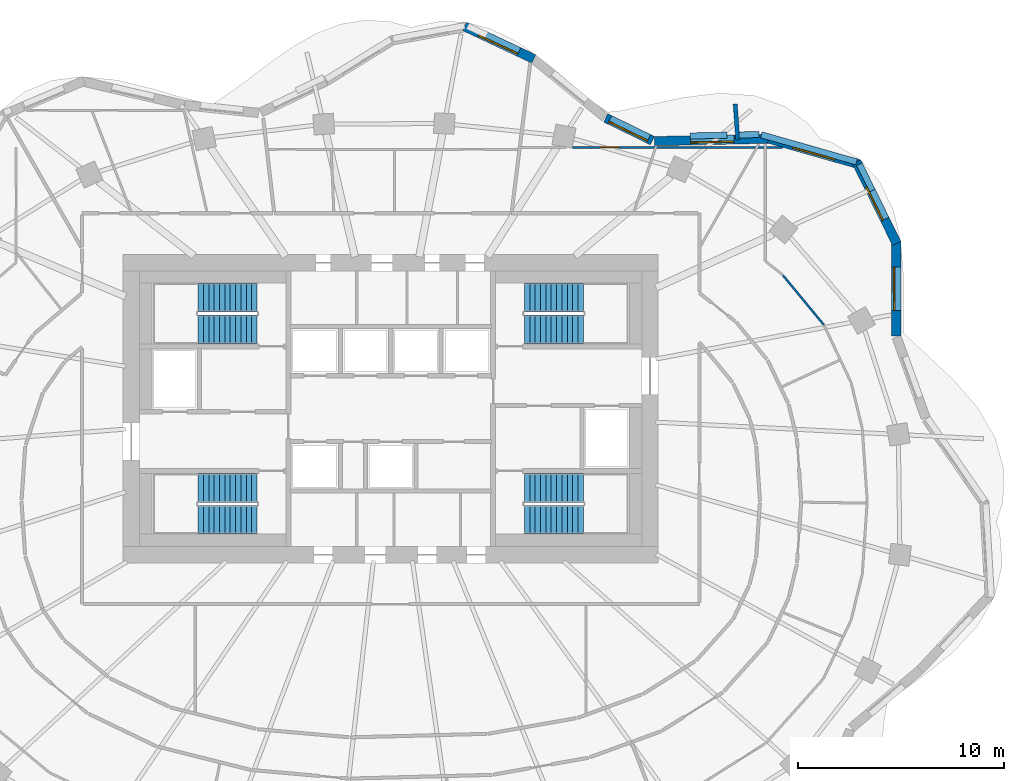
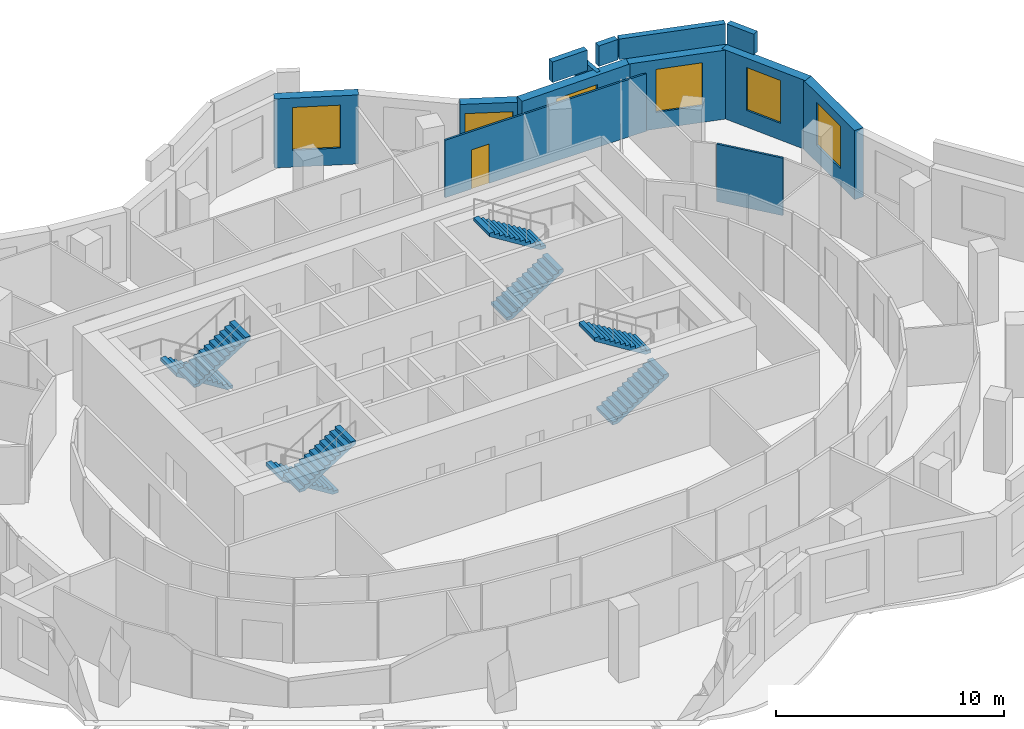
# One storey, part 11 of 13: 13 walls, 8 stair flights, 6 windows, 1 door, 7 openings, 4 elements without a shape of their own.
"""IFC4 building model written with IfcOpenShell, lengths in metres."""

from ifc_helpers import new_model, si_unit, direction, frame, frame_2d, origin, place, context, subcontext, project, spatial, polyline, rectangle, outline, extrude, material, layer, layer_set, type_object, element, fill, aggregate, save


model = new_model("IFC4")

# Units and contexts
model_context = context("Model", 3, precision=1e-05, world=origin(), true_north=direction((0.0, 1.0)))
body_context = subcontext(model_context, "Body", "Model", "MODEL_VIEW")
ifc_project = project(units=[si_unit("LENGTHUNIT", "METRE"), si_unit("AREAUNIT", "SQUARE_METRE"), si_unit("VOLUMEUNIT", "CUBIC_METRE"), si_unit("PLANEANGLEUNIT", "RADIAN"), si_unit("MASSUNIT", "GRAM", prefix="KILO")], contexts=[model_context])

# Site, building, storey
site_placement = place(None, origin())
site = spatial("IfcSite", under=ifc_project, at=site_placement, CompositionType="ELEMENT")
building_placement = place(site_placement, origin())
building = spatial("IfcBuilding", under=site, at=building_placement, Name="Rubra Terraces Tower", CompositionType="ELEMENT")
storey_placement = place(building_placement, frame((0.0, 0.0, 209.10009765625)))
storey = spatial("IfcBuildingStorey", under=building, at=storey_placement, Name="L51", CompositionType="ELEMENT", Elevation=209.10009765625)

# Wall, opening, window
ifc_material_1 = material(Name="Brick masonry red-brown", Category="masonry")
ifc_layer_1 = layer(ifc_material_1, 0.449951171875)
ifc_layer_set_1 = layer_set([ifc_layer_1], Name="Brick masonry red-brown")
wall_type_1 = type_object("IfcWallType", Name="Brick facade wall 450", PredefinedType="SOLIDWALL", material=ifc_layer_set_1)
wall_1_placement = place(storey_placement, frame((24.5712890625, 8.044189453125, 0.0), z_axis=(0.0, 0.0, 1.0), x_axis=(-0.001546005189, 0.999998804933, 0.0)))
wall_1 = element("IfcWall", 1, at=wall_1_placement, inside=storey, type_object=wall_type_1, Name="Facade wall L51 bay 3", PredefinedType="SOLIDWALL", context=body_context, shape_type="SweptSolid", body=[
    extrude(rectangle(XDim=4.57958984375, YDim=0.449951171875, at=frame_2d((2.289794921875, 0.0))), origin(), (0.0, 0.0, 1.0), 3.699951171875),
])
opening_1_placement = place(wall_1_placement, frame((1.23974609375, 0.0, 0.89990234375)))
opening_1 = element("IfcOpeningElement", 2, at=opening_1_placement, cuts=wall_1, Name="Opening W1B", PredefinedType="OPENING", context=body_context, shape_type="SweptSolid", body=[
    extrude(rectangle(XDim=2.10009765625, YDim=2.300048828125, at=frame_2d((1.050048828125, 1.14990234375))), frame((0.0, 0.23486328125, 0.0), z_axis=(0.0, -1.0, 0.0), x_axis=(1.0, 0.0, 0.0)), (0.0, 0.0, 1.0), 0.469970703125),
])
ifc_material_2 = material(Name="Clear glass in aluminium frame", Category="aluminium")
window_type_1 = type_object("IfcWindowType", Name="Fixed deep-set window tall storey 2100 x 2300", PartitioningType="SINGLE_PANEL", PredefinedType="WINDOW", material=ifc_material_2)
window_1_placement = place(opening_1_placement, origin())
window_1 = element("IfcWindow", 3, at=window_1_placement, inside=storey, type_object=window_type_1, Name="Window L51 bay 3", OverallHeight=2.300048828125, OverallWidth=2.10009765625, PartitioningType="SINGLE_PANEL", PredefinedType="WINDOW", context=body_context, shape_type="SweptSolid", body=[
    extrude(rectangle(XDim=2.10009765625, YDim=2.300048828125, at=frame_2d((1.050048828125, 1.14990234375))), frame((0.0, 0.135009765625, 0.0), z_axis=(0.0, -1.0, 0.0), x_axis=(1.0, 0.0, 0.0)), (0.0, 0.0, 1.0), 0.06005859375),
])
fill(opening_1, window_1)

wall_2_placement = place(storey_placement, frame((24.587158203125, 12.531494140625, 0.0), z_axis=(0.0, 0.0, 1.0), x_axis=(-0.441565582365, 0.897228976611, 0.0)))
wall_2 = element("IfcWall", 4, at=wall_2_placement, inside=storey, type_object=wall_type_1, Name="Facade wall L51 bay 4", PredefinedType="SOLIDWALL", context=body_context, shape_type="SweptSolid", body=[
    extrude(rectangle(XDim=4.416015625, YDim=0.449951171875, at=frame_2d((2.2080078125, 0.0))), origin(), (0.0, 0.0, 1.0), 3.699951171875),
])
opening_2_placement = place(wall_2_placement, frame((1.307861328125, 0.0, 0.89990234375)))
opening_2 = element("IfcOpeningElement", 5, at=opening_2_placement, cuts=wall_2, Name="Opening W6B", PredefinedType="OPENING", context=body_context, shape_type="SweptSolid", body=[
    extrude(rectangle(XDim=1.800048828125, YDim=2.300048828125, at=frame_2d((0.89990234375, 1.14990234375))), frame((0.0, 0.23486328125, 0.0), z_axis=(0.0, -1.0, 0.0), x_axis=(1.0, 0.0, 0.0)), (0.0, 0.0, 1.0), 0.469970703125),
])
window_type_2 = type_object("IfcWindowType", Name="Fixed deep-set window at wind fin tall storey 1800 x 2300", PartitioningType="SINGLE_PANEL", PredefinedType="WINDOW", material=ifc_material_2)
window_2_placement = place(opening_2_placement, origin())
window_2 = element("IfcWindow", 6, at=window_2_placement, inside=storey, type_object=window_type_2, Name="Window L51 bay 4", OverallHeight=2.300048828125, OverallWidth=1.800048828125, PartitioningType="SINGLE_PANEL", PredefinedType="WINDOW", context=body_context, shape_type="SweptSolid", body=[
    extrude(rectangle(XDim=1.800048828125, YDim=2.300048828125, at=frame_2d((0.89990234375, 1.14990234375))), frame((0.0, 0.135009765625, 0.0), z_axis=(0.0, -1.0, 0.0), x_axis=(1.0, 0.0, 0.0)), (0.0, 0.0, 1.0), 0.06005859375),
])
fill(opening_2, window_2)

wall_3_placement = place(storey_placement, frame((22.777587890625, 16.376708984375, 0.0), z_axis=(0.0, 0.0, 1.0), x_axis=(-0.961872816949, 0.273497137123, 0.0)))
wall_3 = element("IfcWall", 7, at=wall_3_placement, inside=storey, type_object=wall_type_1, Name="Facade wall L51 bay 5", PredefinedType="SOLIDWALL", context=body_context, shape_type="SweptSolid", body=[
    extrude(rectangle(XDim=4.584716796875, YDim=0.449951171875, at=frame_2d((2.29248046875, 0.0))), origin(), (0.0, 0.0, 1.0), 3.699951171875),
])
opening_3_placement = place(wall_3_placement, frame((1.242431640625, 0.0, 0.89990234375)))
opening_3 = element("IfcOpeningElement", 8, at=opening_3_placement, cuts=wall_3, Name="Opening W1B", PredefinedType="OPENING", context=body_context, shape_type="SweptSolid", body=[
    extrude(rectangle(XDim=2.10009765625, YDim=2.300048828125, at=frame_2d((1.050048828125, 1.14990234375))), frame((0.0, 0.23486328125, 0.0), z_axis=(0.0, -1.0, 0.0), x_axis=(1.0, 0.0, 0.0)), (0.0, 0.0, 1.0), 0.469970703125),
])
window_3_placement = place(opening_3_placement, origin())
window_3 = element("IfcWindow", 9, at=window_3_placement, inside=storey, type_object=window_type_1, Name="Window L51 bay 5", OverallHeight=2.300048828125, OverallWidth=2.10009765625, PartitioningType="SINGLE_PANEL", PredefinedType="WINDOW", context=body_context, shape_type="SweptSolid", body=[
    extrude(rectangle(XDim=2.10009765625, YDim=2.300048828125, at=frame_2d((1.050048828125, 1.14990234375))), frame((0.0, 0.135009765625, 0.0), z_axis=(0.0, -1.0, 0.0), x_axis=(1.0, 0.0, 0.0)), (0.0, 0.0, 1.0), 0.06005859375),
])
fill(opening_3, window_3)

wall_4_placement = place(storey_placement, frame((18.433837890625, 17.622314453125, 0.0), z_axis=(0.0, 0.0, 1.0), x_axis=(-0.999773749739, -0.021270856405, 0.0)))
wall_4 = element("IfcWall", 10, at=wall_4_placement, inside=storey, type_object=wall_type_1, Name="Facade wall L51 bay 6", PredefinedType="SOLIDWALL", context=body_context, shape_type="SweptSolid", body=[
    extrude(rectangle(XDim=5.612548828125, YDim=0.449951171875, at=frame_2d((2.80615234375, 0.0))), origin(), (0.0, 0.0, 1.0), 3.699951171875),
])
opening_4_placement = place(wall_4_placement, frame((1.75634765625, 0.0, 0.89990234375)))
opening_4 = element("IfcOpeningElement", 11, at=opening_4_placement, cuts=wall_4, Name="Opening W1B", PredefinedType="OPENING", context=body_context, shape_type="SweptSolid", body=[
    extrude(rectangle(XDim=2.10009765625, YDim=2.300048828125, at=frame_2d((1.050048828125, 1.14990234375))), frame((0.0, 0.23486328125, 0.0), z_axis=(0.0, -1.0, 0.0), x_axis=(1.0, 0.0, 0.0)), (0.0, 0.0, 1.0), 0.469970703125),
])
window_4_placement = place(opening_4_placement, origin())
window_4 = element("IfcWindow", 12, at=window_4_placement, inside=storey, type_object=window_type_1, Name="Window L51 bay 6", OverallHeight=2.300048828125, OverallWidth=2.10009765625, PartitioningType="SINGLE_PANEL", PredefinedType="WINDOW", context=body_context, shape_type="SweptSolid", body=[
    extrude(rectangle(XDim=2.10009765625, YDim=2.300048828125, at=frame_2d((1.050048828125, 1.14990234375))), frame((0.0, 0.135009765625, 0.0), z_axis=(0.0, -1.0, 0.0), x_axis=(1.0, 0.0, 0.0)), (0.0, 0.0, 1.0), 0.06005859375),
])
fill(opening_4, window_4)

wall_5_placement = place(storey_placement, frame((12.718994140625, 17.52587890625, 0.0), z_axis=(0.0, 0.0, 1.0), x_axis=(-0.898643806462, 0.438679050226, 0.0)))
wall_5 = element("IfcWall", 13, at=wall_5_placement, inside=storey, type_object=wall_type_1, Name="Facade wall L51 bay 7", PredefinedType="SOLIDWALL", context=body_context, shape_type="SweptSolid", body=[
    extrude(rectangle(XDim=2.5234375, YDim=0.449951171875, at=frame_2d((1.26171875, 0.0))), origin(), (0.0, 0.0, 1.0), 3.699951171875),
])
opening_5_placement = place(wall_5_placement, frame((0.2119140625, 0.0, 0.89990234375)))
opening_5 = element("IfcOpeningElement", 14, at=opening_5_placement, cuts=wall_5, Name="Opening W1B", PredefinedType="OPENING", context=body_context, shape_type="SweptSolid", body=[
    extrude(rectangle(XDim=2.10009765625, YDim=2.300048828125, at=frame_2d((1.050048828125, 1.14990234375))), frame((0.0, 0.23486328125, 0.0), z_axis=(0.0, -1.0, 0.0), x_axis=(1.0, 0.0, 0.0)), (0.0, 0.0, 1.0), 0.469970703125),
])
window_5_placement = place(opening_5_placement, origin())
window_5 = element("IfcWindow", 15, at=window_5_placement, inside=storey, type_object=window_type_1, Name="Window L51 bay 7", OverallHeight=2.300048828125, OverallWidth=2.10009765625, PartitioningType="SINGLE_PANEL", PredefinedType="WINDOW", context=body_context, shape_type="SweptSolid", body=[
    extrude(rectangle(XDim=2.10009765625, YDim=2.300048828125, at=frame_2d((1.050048828125, 1.14990234375))), frame((0.0, 0.135009765625, 0.0), z_axis=(0.0, -1.0, 0.0), x_axis=(1.0, 0.0, 0.0)), (0.0, 0.0, 1.0), 0.06005859375),
])
fill(opening_5, window_5)

wall_6_placement = place(storey_placement, frame((6.952880859375, 21.49853515625, 0.0), z_axis=(0.0, 0.0, 1.0), x_axis=(-0.905034581957, 0.425337989676, 0.0)))
wall_6 = element("IfcWall", 16, at=wall_6_placement, inside=storey, type_object=wall_type_1, Name="Facade wall L51 bay 9", PredefinedType="SOLIDWALL", context=body_context, shape_type="SweptSolid", body=[
    extrude(rectangle(XDim=3.71435546875, YDim=0.449951171875, at=frame_2d((1.857177734375, 0.0))), origin(), (0.0, 0.0, 1.0), 3.699951171875),
])
opening_6_placement = place(wall_6_placement, frame((0.80712890625, 0.0, 0.89990234375)))
opening_6 = element("IfcOpeningElement", 17, at=opening_6_placement, cuts=wall_6, Name="Opening W1B", PredefinedType="OPENING", context=body_context, shape_type="SweptSolid", body=[
    extrude(rectangle(XDim=2.10009765625, YDim=2.300048828125, at=frame_2d((1.050048828125, 1.14990234375))), frame((0.0, 0.23486328125, 0.0), z_axis=(0.0, -1.0, 0.0), x_axis=(1.0, 0.0, 0.0)), (0.0, 0.0, 1.0), 0.469970703125),
])
window_6_placement = place(opening_6_placement, origin())
window_6 = element("IfcWindow", 18, at=window_6_placement, inside=storey, type_object=window_type_1, Name="Window L51 bay 9", OverallHeight=2.300048828125, OverallWidth=2.10009765625, PartitioningType="SINGLE_PANEL", PredefinedType="WINDOW", context=body_context, shape_type="SweptSolid", body=[
    extrude(rectangle(XDim=2.10009765625, YDim=2.300048828125, at=frame_2d((1.050048828125, 1.14990234375))), frame((0.0, 0.135009765625, 0.0), z_axis=(0.0, -1.0, 0.0), x_axis=(1.0, 0.0, 0.0)), (0.0, 0.0, 1.0), 0.06005859375),
])
fill(opening_6, window_6)

# Walls
ifc_layer_2 = layer(ifc_material_1, 0.300048828125)
ifc_layer_set_2 = layer_set([ifc_layer_2], Name="Brick masonry red-brown")
wall_type_2 = type_object("IfcWallType", Name="Brick parapet 300", PredefinedType="PARAPET", material=ifc_layer_set_2)
wall_7_placement = place(storey_placement, frame((23.40673828125, 15.099609375, 3.89990234375), z_axis=(0.0, 0.0, 1.0), x_axis=(-0.441525139575, 0.897248879143, 0.0)))
element("IfcWall", 19, at=wall_7_placement, inside=storey, type_object=wall_type_2, Name="Parapet L51 bay 4", PredefinedType="PARAPET", context=body_context, shape_type="SweptSolid", body=[
    extrude(rectangle(XDim=1.42724609375, YDim=0.300048828125, at=frame_2d((0.713623046875, 0.0))), origin(), (0.0, 0.0, 1.0), 1.10009765625),
])
wall_8_placement = place(storey_placement, frame((22.640869140625, 16.493408203125, 3.89990234375), z_axis=(0.0, 0.0, 1.0), x_axis=(-0.961855991684, 0.273556303641, 0.0)))
element("IfcWall", 20, at=wall_8_placement, inside=storey, type_object=wall_type_2, Name="Parapet L51 bay 5", PredefinedType="PARAPET", context=body_context, shape_type="SweptSolid", body=[
    extrude(rectangle(XDim=4.817626953125, YDim=0.300048828125, at=frame_2d((2.40869140625, 0.0))), origin(), (0.0, 0.0, 1.0), 1.10009765625),
])
wall_9_placement = place(storey_placement, frame((17.904052734375, 17.824462890625, 3.89990234375), z_axis=(0.0, 0.0, 1.0), x_axis=(-0.999771907309, -0.021357278744, 0.0)))
element("IfcWall", 21, at=wall_9_placement, inside=storey, type_object=wall_type_2, Name="Parapet L51 bay 6", PredefinedType="PARAPET", context=body_context, shape_type="SweptSolid", body=[
    extrude(rectangle(XDim=0.9716796875, YDim=0.300048828125, at=frame_2d((0.48583984375, 0.0))), origin(), (0.0, 0.0, 1.0), 1.10009765625),
])
wall_10_placement = place(storey_placement, frame((16.339599609375, 17.791259765625, 3.89990234375), z_axis=(0.0, 0.0, 1.0), x_axis=(-0.999776010316, -0.021164337831, 0.0)))
element("IfcWall", 22, at=wall_10_placement, inside=storey, type_object=wall_type_2, Name="Parapet L51 bay 6.2", PredefinedType="PARAPET", context=body_context, shape_type="SweptSolid", body=[
    extrude(rectangle(XDim=1.7880859375, YDim=0.300048828125, at=frame_2d((0.89404296875, 0.0))), origin(), (0.0, 0.0, 1.0), 1.10009765625),
])
ifc_layer_3 = layer(ifc_material_1, 0.199951171875)
ifc_layer_set_3 = layer_set([ifc_layer_3], Name="Brick masonry red-brown")
wall_type_3 = type_object("IfcWallType", Name="Brick wind fin 200", PredefinedType="SOLIDWALL", material=ifc_layer_set_3)
wall_11_placement = place(storey_placement, frame((16.868896484375, 17.56591796875, 0.0), z_axis=(0.0, 0.0, 1.0), x_axis=(-0.073655868346, 0.997283717434, 0.0)))
element("IfcWall", 23, at=wall_11_placement, inside=storey, type_object=wall_type_3, Name="Wind fin L51 4", PredefinedType="SOLIDWALL", context=body_context, shape_type="SweptSolid", body=[
    extrude(rectangle(XDim=1.75, YDim=0.199951171875, at=frame_2d((0.875, 0.0))), origin(), (0.0, 0.0, 1.0), 3.699951171875),
])

# Wall, opening, door
ifc_material_3 = material(Name="Plasterboard on steel stud", Category="steel")
ifc_layer_4 = layer(ifc_material_3, 0.10009765625)
ifc_layer_set_4 = layer_set([ifc_layer_4], Name="Plasterboard on steel stud")
wall_type_4 = type_object("IfcWallType", Name="ROOM PARTITION 100", PredefinedType="PARTITIONING", material=ifc_layer_set_4)
wall_12_placement = place(storey_placement, frame((8.84521484375, 17.199951171875, 0.0), z_axis=(0.0, 0.0, 1.0), x_axis=(1.0, 0.0, 0.0)))
wall_12 = element("IfcWall", 24, at=wall_12_placement, inside=storey, type_object=wall_type_4, Name="PARTITION", PredefinedType="PARTITIONING", context=body_context, shape_type="SweptSolid", body=[
    extrude(rectangle(XDim=10.204345703125, YDim=0.10009765625, at=frame_2d((5.10205078125, 0.0))), origin(), (0.0, 0.0, 1.0), 3.083984375),
])
opening_7_placement = place(wall_12_placement, frame((1.3359375, 0.0, 0.0)))
opening_7 = element("IfcOpeningElement", 25, at=opening_7_placement, cuts=wall_12, Name="Opening 51-112", PredefinedType="OPENING", context=body_context, shape_type="SweptSolid", body=[
    extrude(rectangle(XDim=0.89990234375, YDim=2.10009765625, at=frame_2d((0.449951171875, 1.050048828125))), frame((0.0, 0.06005859375, 0.0), z_axis=(0.0, -1.0, 0.0), x_axis=(1.0, 0.0, 0.0)), (0.0, 0.0, 1.0), 0.1201171875),
])
ifc_material_4 = material(Name="Painted timber door leaf", Category="wood")
door_type = type_object("IfcDoorType", Name="ROOM DOOR 900 X 2100", OperationType="SINGLE_SWING_LEFT", PredefinedType="DOOR", material=ifc_material_4)
door_placement = place(opening_7_placement, origin())
door = element("IfcDoor", 26, at=door_placement, inside=storey, type_object=door_type, Name="DOOR 51-112", OperationType="SINGLE_SWING_RIGHT", OverallHeight=2.10009765625, OverallWidth=0.89990234375, PredefinedType="DOOR", context=body_context, shape_type="SweptSolid", body=[
    extrude(rectangle(XDim=0.89990234375, YDim=2.10009765625, at=frame_2d((0.449951171875, 1.050048828125))), frame((0.0, 0.02490234375, 0.0), z_axis=(0.0, -1.0, 0.0), x_axis=(1.0, 0.0, 0.0)), (0.0, 0.0, 1.0), 0.050048828125),
])
fill(opening_7, door)

# Wall
wall_13_placement = place(storey_placement, frame((19.064697265625, 10.97705078125, 0.0), z_axis=(0.0, 0.0, 1.0), x_axis=(0.636582843743, -0.771208326623, 0.0)))
element("IfcWall", 27, at=wall_13_placement, inside=storey, type_object=wall_type_4, Name="PARTITION", PredefinedType="PARTITIONING", context=body_context, shape_type="SweptSolid", body=[
    extrude(rectangle(XDim=3.1064453125, YDim=0.10009765625, at=frame_2d((1.55322265625, 0.0))), origin(), (0.0, 0.0, 1.0), 3.083984375),
])

# Stair, stair flights
ifc_material_5 = material(Name="Concrete C40", Category="concrete")
stair_type = type_object("IfcStairType", Name="Core stair 1400", PredefinedType="HALF_TURN_STAIR", material=ifc_material_5)
stair_1_placement = place(storey_placement, origin())
stair_1 = element("IfcStair", 28, at=stair_1_placement, inside=storey, type_object=stair_type, Name="L51 Exit stair S1", PredefinedType="HALF_TURN_STAIR")
stair_flight_type = type_object("IfcStairFlightType", Name="Core stair flight 1400", PredefinedType="STRAIGHT", material=ifc_material_5)
stair_flight_1_placement = place(storey_placement, frame((-6.5, 0.64990234375, 0.0), z_axis=(0.0, 0.0, 1.0), x_axis=(-1.0, 0.0, 0.0)))
stair_flight_1 = element("IfcStairFlight", 29, at=stair_flight_1_placement, type_object=stair_flight_type, Name="S1 flight 1", NumberOfRisers=12, NumberOfTreads=11, PredefinedType="STRAIGHT", RiserHeight=0.1625, TreadLength=0.26, context=body_context, shape_type="SweptSolid", body=[
    extrude(outline(polyline([(0.0, 0.0), (0.0, 0.16259765625), (0.260009765625, 0.16259765625), (0.260009765625, 0.324951171875), (0.52001953125, 0.324951171875), (0.52001953125, 0.487548828125), (0.780029296875, 0.487548828125), (0.780029296875, 0.64990234375), (1.0400390625, 0.64990234375), (1.0400390625, 0.8125), (1.300048828125, 0.8125), (1.300048828125, 0.97509765625), (1.56005859375, 0.97509765625), (1.56005859375, 1.137451171875), (1.820068359375, 1.137451171875), (1.820068359375, 1.300048828125), (2.080078125, 1.300048828125), (2.080078125, 1.46240234375), (2.340087890625, 1.46240234375), (2.340087890625, 1.625), (2.60009765625, 1.625), (2.60009765625, 1.78759765625), (2.860107421875, 1.78759765625), (2.860107421875, 1.949951171875), (2.860107421875, 1.61083984375), (0.28271484375, 0.0), (0.0, 0.0)])), frame((0.0, 0.699951171875, 0.0), z_axis=(0.0, -1.0, 0.0), x_axis=(1.0, 0.0, 0.0)), (0.0, 0.0, 1.0), 1.39990234375),
])
stair_flight_2_placement = place(storey_placement, frame((-9.360107421875, -0.89990234375, 1.949951171875), z_axis=(0.0, 0.0, 1.0), x_axis=(1.0, 0.0, 0.0)))
stair_flight_2 = element("IfcStairFlight", 30, at=stair_flight_2_placement, type_object=stair_flight_type, Name="S1 flight 2", NumberOfRisers=12, NumberOfTreads=11, PredefinedType="STRAIGHT", RiserHeight=0.1625, TreadLength=0.26, context=body_context, shape_type="SweptSolid", body=[
    extrude(outline(polyline([(0.0, 0.0), (0.0, 0.16259765625), (0.260009765625, 0.16259765625), (0.260009765625, 0.324951171875), (0.52001953125, 0.324951171875), (0.52001953125, 0.487548828125), (0.780029296875, 0.487548828125), (0.780029296875, 0.64990234375), (1.0400390625, 0.64990234375), (1.0400390625, 0.8125), (1.300048828125, 0.8125), (1.300048828125, 0.97509765625), (1.56005859375, 0.97509765625), (1.56005859375, 1.137451171875), (1.820068359375, 1.137451171875), (1.820068359375, 1.300048828125), (2.080078125, 1.300048828125), (2.080078125, 1.46240234375), (2.340087890625, 1.46240234375), (2.340087890625, 1.625), (2.60009765625, 1.625), (2.60009765625, 1.78759765625), (2.860107421875, 1.78759765625), (2.860107421875, 1.949951171875), (2.860107421875, 1.61083984375), (0.28271484375, 0.0), (0.0, 0.0)])), frame((0.0, 0.699951171875, 0.0), z_axis=(0.0, -1.0, 0.0), x_axis=(1.0, 0.0, 0.0)), (0.0, 0.0, 1.0), 1.39990234375),
])
aggregate(stair_1, [stair_flight_1, stair_flight_2])

stair_2_placement = place(storey_placement, origin())
stair_2 = element("IfcStair", 31, at=stair_2_placement, inside=storey, type_object=stair_type, Name="L51 Exit stair S2", PredefinedType="HALF_TURN_STAIR")
stair_flight_3_placement = place(storey_placement, frame((-6.5, 9.89990234375, 0.0), z_axis=(0.0, 0.0, 1.0), x_axis=(-1.0, 0.0, 0.0)))
stair_flight_3 = element("IfcStairFlight", 32, at=stair_flight_3_placement, type_object=stair_flight_type, Name="S2 flight 1", NumberOfRisers=12, NumberOfTreads=11, PredefinedType="STRAIGHT", RiserHeight=0.1625, TreadLength=0.26, context=body_context, shape_type="SweptSolid", body=[
    extrude(outline(polyline([(0.0, 0.0), (0.0, 0.16259765625), (0.260009765625, 0.16259765625), (0.260009765625, 0.324951171875), (0.52001953125, 0.324951171875), (0.52001953125, 0.487548828125), (0.780029296875, 0.487548828125), (0.780029296875, 0.64990234375), (1.0400390625, 0.64990234375), (1.0400390625, 0.8125), (1.300048828125, 0.8125), (1.300048828125, 0.97509765625), (1.56005859375, 0.97509765625), (1.56005859375, 1.137451171875), (1.820068359375, 1.137451171875), (1.820068359375, 1.300048828125), (2.080078125, 1.300048828125), (2.080078125, 1.46240234375), (2.340087890625, 1.46240234375), (2.340087890625, 1.625), (2.60009765625, 1.625), (2.60009765625, 1.78759765625), (2.860107421875, 1.78759765625), (2.860107421875, 1.949951171875), (2.860107421875, 1.61083984375), (0.28271484375, 0.0), (0.0, 0.0)])), frame((0.0, 0.699951171875, 0.0), z_axis=(0.0, -1.0, 0.0), x_axis=(1.0, 0.0, 0.0)), (0.0, 0.0, 1.0), 1.39990234375),
])
stair_flight_4_placement = place(storey_placement, frame((-9.360107421875, 8.35009765625, 1.949951171875), z_axis=(0.0, 0.0, 1.0), x_axis=(1.0, 0.0, 0.0)))
stair_flight_4 = element("IfcStairFlight", 33, at=stair_flight_4_placement, type_object=stair_flight_type, Name="S2 flight 2", NumberOfRisers=12, NumberOfTreads=11, PredefinedType="STRAIGHT", RiserHeight=0.1625, TreadLength=0.26, context=body_context, shape_type="SweptSolid", body=[
    extrude(outline(polyline([(0.0, 0.0), (0.0, 0.16259765625), (0.260009765625, 0.16259765625), (0.260009765625, 0.324951171875), (0.52001953125, 0.324951171875), (0.52001953125, 0.487548828125), (0.780029296875, 0.487548828125), (0.780029296875, 0.64990234375), (1.0400390625, 0.64990234375), (1.0400390625, 0.8125), (1.300048828125, 0.8125), (1.300048828125, 0.97509765625), (1.56005859375, 0.97509765625), (1.56005859375, 1.137451171875), (1.820068359375, 1.137451171875), (1.820068359375, 1.300048828125), (2.080078125, 1.300048828125), (2.080078125, 1.46240234375), (2.340087890625, 1.46240234375), (2.340087890625, 1.625), (2.60009765625, 1.625), (2.60009765625, 1.78759765625), (2.860107421875, 1.78759765625), (2.860107421875, 1.949951171875), (2.860107421875, 1.61083984375), (0.28271484375, 0.0), (0.0, 0.0)])), frame((0.0, 0.699951171875, 0.0), z_axis=(0.0, -1.0, 0.0), x_axis=(1.0, 0.0, 0.0)), (0.0, 0.0, 1.0), 1.39990234375),
])
aggregate(stair_2, [stair_flight_3, stair_flight_4])

stair_3_placement = place(storey_placement, origin())
stair_3 = element("IfcStair", 34, at=stair_3_placement, inside=storey, type_object=stair_type, Name="L51 Exit stair S3", PredefinedType="HALF_TURN_STAIR")
stair_flight_5_placement = place(storey_placement, frame((6.5, 8.35009765625, 0.0), z_axis=(0.0, 0.0, 1.0), x_axis=(1.0, 0.0, 0.0)))
stair_flight_5 = element("IfcStairFlight", 35, at=stair_flight_5_placement, type_object=stair_flight_type, Name="S3 flight 1", NumberOfRisers=12, NumberOfTreads=11, PredefinedType="STRAIGHT", RiserHeight=0.1625, TreadLength=0.26, context=body_context, shape_type="SweptSolid", body=[
    extrude(outline(polyline([(0.0, 0.0), (0.0, 0.16259765625), (0.260009765625, 0.16259765625), (0.260009765625, 0.324951171875), (0.52001953125, 0.324951171875), (0.52001953125, 0.487548828125), (0.780029296875, 0.487548828125), (0.780029296875, 0.64990234375), (1.0400390625, 0.64990234375), (1.0400390625, 0.8125), (1.300048828125, 0.8125), (1.300048828125, 0.97509765625), (1.56005859375, 0.97509765625), (1.56005859375, 1.137451171875), (1.820068359375, 1.137451171875), (1.820068359375, 1.300048828125), (2.080078125, 1.300048828125), (2.080078125, 1.46240234375), (2.340087890625, 1.46240234375), (2.340087890625, 1.625), (2.60009765625, 1.625), (2.60009765625, 1.78759765625), (2.860107421875, 1.78759765625), (2.860107421875, 1.949951171875), (2.860107421875, 1.61083984375), (0.28271484375, 0.0), (0.0, 0.0)])), frame((0.0, 0.699951171875, 0.0), z_axis=(0.0, -1.0, 0.0), x_axis=(1.0, 0.0, 0.0)), (0.0, 0.0, 1.0), 1.39990234375),
])
stair_flight_6_placement = place(storey_placement, frame((9.360107421875, 9.89990234375, 1.949951171875), z_axis=(0.0, 0.0, 1.0), x_axis=(-1.0, 0.0, 0.0)))
stair_flight_6 = element("IfcStairFlight", 36, at=stair_flight_6_placement, type_object=stair_flight_type, Name="S3 flight 2", NumberOfRisers=12, NumberOfTreads=11, PredefinedType="STRAIGHT", RiserHeight=0.1625, TreadLength=0.26, context=body_context, shape_type="SweptSolid", body=[
    extrude(outline(polyline([(0.0, 0.0), (0.0, 0.16259765625), (0.260009765625, 0.16259765625), (0.260009765625, 0.324951171875), (0.52001953125, 0.324951171875), (0.52001953125, 0.487548828125), (0.780029296875, 0.487548828125), (0.780029296875, 0.64990234375), (1.0400390625, 0.64990234375), (1.0400390625, 0.8125), (1.300048828125, 0.8125), (1.300048828125, 0.97509765625), (1.56005859375, 0.97509765625), (1.56005859375, 1.137451171875), (1.820068359375, 1.137451171875), (1.820068359375, 1.300048828125), (2.080078125, 1.300048828125), (2.080078125, 1.46240234375), (2.340087890625, 1.46240234375), (2.340087890625, 1.625), (2.60009765625, 1.625), (2.60009765625, 1.78759765625), (2.860107421875, 1.78759765625), (2.860107421875, 1.949951171875), (2.860107421875, 1.61083984375), (0.28271484375, 0.0), (0.0, 0.0)])), frame((0.0, 0.699951171875, 0.0), z_axis=(0.0, -1.0, 0.0), x_axis=(1.0, 0.0, 0.0)), (0.0, 0.0, 1.0), 1.39990234375),
])
aggregate(stair_3, [stair_flight_5, stair_flight_6])

stair_4_placement = place(storey_placement, origin())
stair_4 = element("IfcStair", 37, at=stair_4_placement, inside=storey, type_object=stair_type, Name="L51 Exit stair S4", PredefinedType="HALF_TURN_STAIR")
stair_flight_7_placement = place(storey_placement, frame((6.5, -0.89990234375, 0.0), z_axis=(0.0, 0.0, 1.0), x_axis=(1.0, 0.0, 0.0)))
stair_flight_7 = element("IfcStairFlight", 38, at=stair_flight_7_placement, type_object=stair_flight_type, Name="S4 flight 1", NumberOfRisers=12, NumberOfTreads=11, PredefinedType="STRAIGHT", RiserHeight=0.1625, TreadLength=0.26, context=body_context, shape_type="SweptSolid", body=[
    extrude(outline(polyline([(0.0, 0.0), (0.0, 0.16259765625), (0.260009765625, 0.16259765625), (0.260009765625, 0.324951171875), (0.52001953125, 0.324951171875), (0.52001953125, 0.487548828125), (0.780029296875, 0.487548828125), (0.780029296875, 0.64990234375), (1.0400390625, 0.64990234375), (1.0400390625, 0.8125), (1.300048828125, 0.8125), (1.300048828125, 0.97509765625), (1.56005859375, 0.97509765625), (1.56005859375, 1.137451171875), (1.820068359375, 1.137451171875), (1.820068359375, 1.300048828125), (2.080078125, 1.300048828125), (2.080078125, 1.46240234375), (2.340087890625, 1.46240234375), (2.340087890625, 1.625), (2.60009765625, 1.625), (2.60009765625, 1.78759765625), (2.860107421875, 1.78759765625), (2.860107421875, 1.949951171875), (2.860107421875, 1.61083984375), (0.28271484375, 0.0), (0.0, 0.0)])), frame((0.0, 0.699951171875, 0.0), z_axis=(0.0, -1.0, 0.0), x_axis=(1.0, 0.0, 0.0)), (0.0, 0.0, 1.0), 1.39990234375),
])
stair_flight_8_placement = place(storey_placement, frame((9.360107421875, 0.64990234375, 1.949951171875), z_axis=(0.0, 0.0, 1.0), x_axis=(-1.0, 0.0, 0.0)))
stair_flight_8 = element("IfcStairFlight", 39, at=stair_flight_8_placement, type_object=stair_flight_type, Name="S4 flight 2", NumberOfRisers=12, NumberOfTreads=11, PredefinedType="STRAIGHT", RiserHeight=0.1625, TreadLength=0.26, context=body_context, shape_type="SweptSolid", body=[
    extrude(outline(polyline([(0.0, 0.0), (0.0, 0.16259765625), (0.260009765625, 0.16259765625), (0.260009765625, 0.324951171875), (0.52001953125, 0.324951171875), (0.52001953125, 0.487548828125), (0.780029296875, 0.487548828125), (0.780029296875, 0.64990234375), (1.0400390625, 0.64990234375), (1.0400390625, 0.8125), (1.300048828125, 0.8125), (1.300048828125, 0.97509765625), (1.56005859375, 0.97509765625), (1.56005859375, 1.137451171875), (1.820068359375, 1.137451171875), (1.820068359375, 1.300048828125), (2.080078125, 1.300048828125), (2.080078125, 1.46240234375), (2.340087890625, 1.46240234375), (2.340087890625, 1.625), (2.60009765625, 1.625), (2.60009765625, 1.78759765625), (2.860107421875, 1.78759765625), (2.860107421875, 1.949951171875), (2.860107421875, 1.61083984375), (0.28271484375, 0.0), (0.0, 0.0)])), frame((0.0, 0.699951171875, 0.0), z_axis=(0.0, -1.0, 0.0), x_axis=(1.0, 0.0, 0.0)), (0.0, 0.0, 1.0), 1.39990234375),
])
aggregate(stair_4, [stair_flight_7, stair_flight_8])

save(model, "model.ifc")
